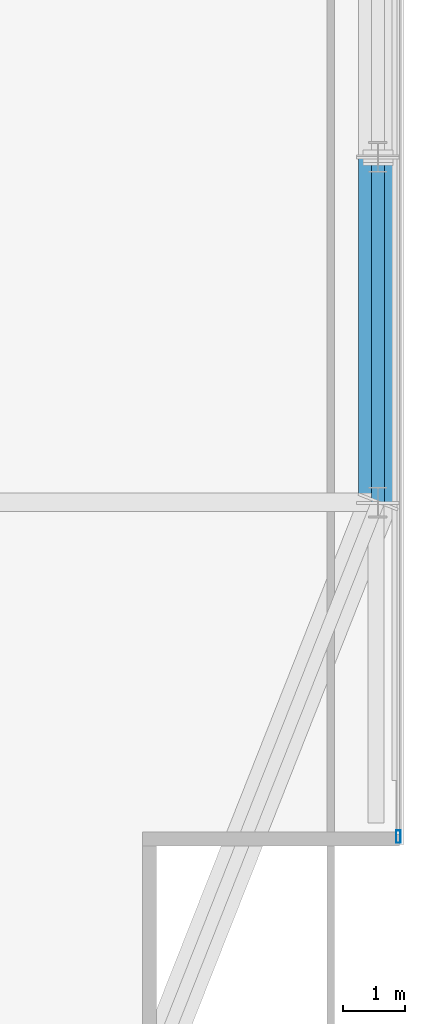
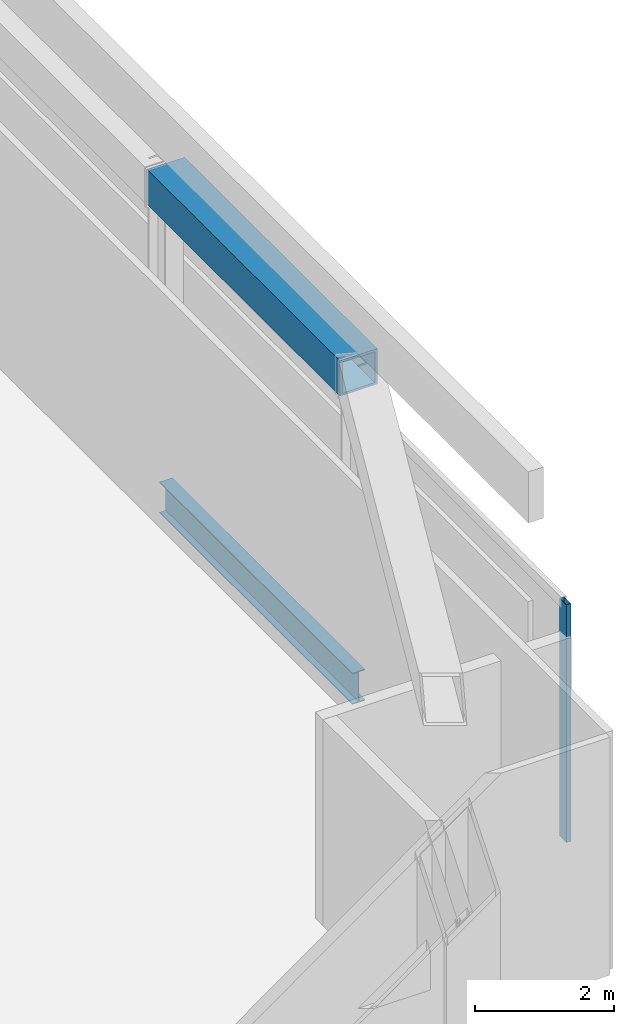
# One storey, part 12 of 24: 2 beams, 1 member, 1 element without a shape of its own.
"""IFC4 building model written with IfcOpenShell, lengths in metres."""

from ifc_helpers import new_model, si_unit, direction, frame, origin, origin_2d, place, context, subcontext, project, spatial, hollow_rectangle, i_section, extrude, material, material_profile, profile_set, type_object, element, aggregate, save


model = new_model("IFC4")

# Units and contexts
model_context = context("Model", 3, precision=1e-05, world=origin(), true_north=direction((0.0, 1.0)))
body_context = subcontext(model_context, "Body", "Model", "MODEL_VIEW")
ifc_project = project(units=[si_unit("LENGTHUNIT", "METRE"), si_unit("AREAUNIT", "SQUARE_METRE"), si_unit("VOLUMEUNIT", "CUBIC_METRE"), si_unit("PLANEANGLEUNIT", "RADIAN"), si_unit("MASSUNIT", "GRAM", prefix="KILO")], contexts=[model_context])

# Site, building, storey
site_placement = place(None, origin())
site = spatial("IfcSite", under=ifc_project, at=site_placement, CompositionType="ELEMENT")
building_placement = place(site_placement, origin())
building = spatial("IfcBuilding", under=site, at=building_placement, Name="Khoronbel Lancet Exchange", CompositionType="ELEMENT")
storey_placement = place(building_placement, frame((0.0, 0.0, 378.60009765625)))
storey = spatial("IfcBuildingStorey", under=building, at=storey_placement, Name="L96", CompositionType="ELEMENT", Elevation=378.60009765625)

# Beams
ifc_material_1 = material(Name="Steel S355", Category="steel")
ifc_material_profile_1 = material_profile(ifc_material_1, i_section(OverallWidth=0.2099609375, OverallDepth=0.550048828125, WebThickness=0.010986328125, FlangeThickness=0.01708984375, at=origin_2d()), Name="IPE 550")
ifc_profile_set_1 = profile_set([ifc_material_profile_1], Name="Steel S355")
beam_type_1 = type_object("IfcBeamType", Name="BM-BSP3", PredefinedType="SPANDREL", material=ifc_profile_set_1)
beam_1_placement = place(storey_placement, frame((61.6298828125, 19.199951171875, -0.47509765625), z_axis=(0.0, 1.0, 0.0), x_axis=(-1.0, 0.0, 0.0)))
element("IfcBeam", 1, at=beam_1_placement, inside=storey, type_object=beam_type_1, Name="Level L96 perimeter spandrel beam SP09", PredefinedType="SPANDREL", context=body_context, shape_type="SweptSolid", body=[
    extrude(i_section(OverallWidth=0.2099609375, OverallDepth=0.550048828125, WebThickness=0.010986328125, FlangeThickness=0.01708984375, at=origin_2d()), origin(), (0.0, 0.0, 1.0), 5.550048828125),
])
ifc_material_profile_2 = material_profile(ifc_material_1, hollow_rectangle(XDim=0.6201171875, YDim=0.6201171875, WallThickness=0.0400390625, at=origin_2d()), Name="BOX 620x620x40")
ifc_profile_set_2 = profile_set([ifc_material_profile_2], Name="Steel S355")
beam_type_2 = type_object("IfcBeamType", Name="BM-RB1", PredefinedType="USERDEFINED", material=ifc_profile_set_2)
beam_2_placement = place(storey_placement, frame((61.6298828125, 19.199951171875, 5.0498046875), z_axis=(0.0, 1.0, 0.0), x_axis=(-1.0, 0.0, 0.0)))
element("IfcBeam", 2, at=beam_2_placement, inside=storey, type_object=beam_type_2, Name="CROWN FRAME top ring cap beam RB09", ObjectType="RING BEAM", PredefinedType="USERDEFINED", context=body_context, shape_type="SweptSolid", body=[
    extrude(hollow_rectangle(XDim=0.6201171875, YDim=0.6201171875, WallThickness=0.0400390625, at=origin_2d()), origin(), (0.0, 0.0, 1.0), 5.550048828125),
])

# Curtain wall, member
ifc_material_2 = material(Name="Low-E Solar Control Insulating Glass", Category="glass")
curtain_wall_type = type_object("IfcCurtainWallType", Name="CW-6", PredefinedType="NOTDEFINED", material=ifc_material_2)
curtain_wall_placement = place(storey_placement, origin())
curtain_wall = element("IfcCurtainWall", 3, at=curtain_wall_placement, inside=storey, type_object=curtain_wall_type, Name="Unitised curtain wall CW-L96-E09", PredefinedType="NOTDEFINED")
ifc_material_3 = material(Name="Bronze-Anodised Aluminium 6063-T6", Category="aluminium")
ifc_material_profile_3 = material_profile(ifc_material_3, hollow_rectangle(XDim=0.074951171875, YDim=0.199951171875, WallThickness=0.0048828125, at=origin_2d()), Name="ALU MULLION 75x200")
ifc_profile_set_3 = profile_set([ifc_material_profile_3], Name="Bronze-Anodised Aluminium 6063-T6")
member_type = type_object("IfcMemberType", Name="MEM-CWM2", PredefinedType="MULLION", material=ifc_profile_set_3)
member_placement = place(storey_placement, frame((61.9599609375, 13.827392578125, 0.0), z_axis=(0.0, 0.0, 1.0), x_axis=(1.0, 0.0, 0.0)))
member = element("IfcMember", 4, at=member_placement, type_object=member_type, Name="CW6 mullion 3", PredefinedType="MULLION", context=body_context, shape_type="SweptSolid", body=[
    extrude(hollow_rectangle(XDim=0.074951171875, YDim=0.199951171875, WallThickness=0.0048828125, at=origin_2d()), origin(), (0.0, 0.0, 1.0), 4.179931640625),
])
aggregate(curtain_wall, [member])

save(model, "model.ifc")
